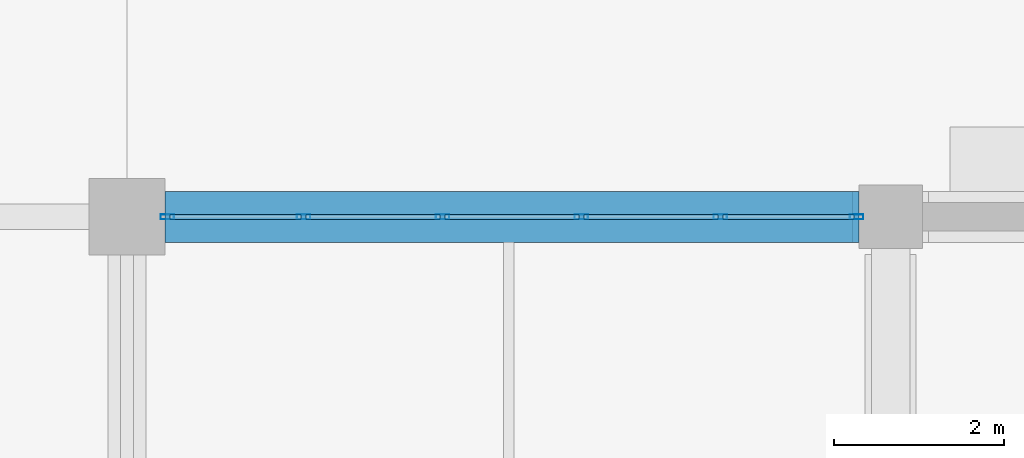
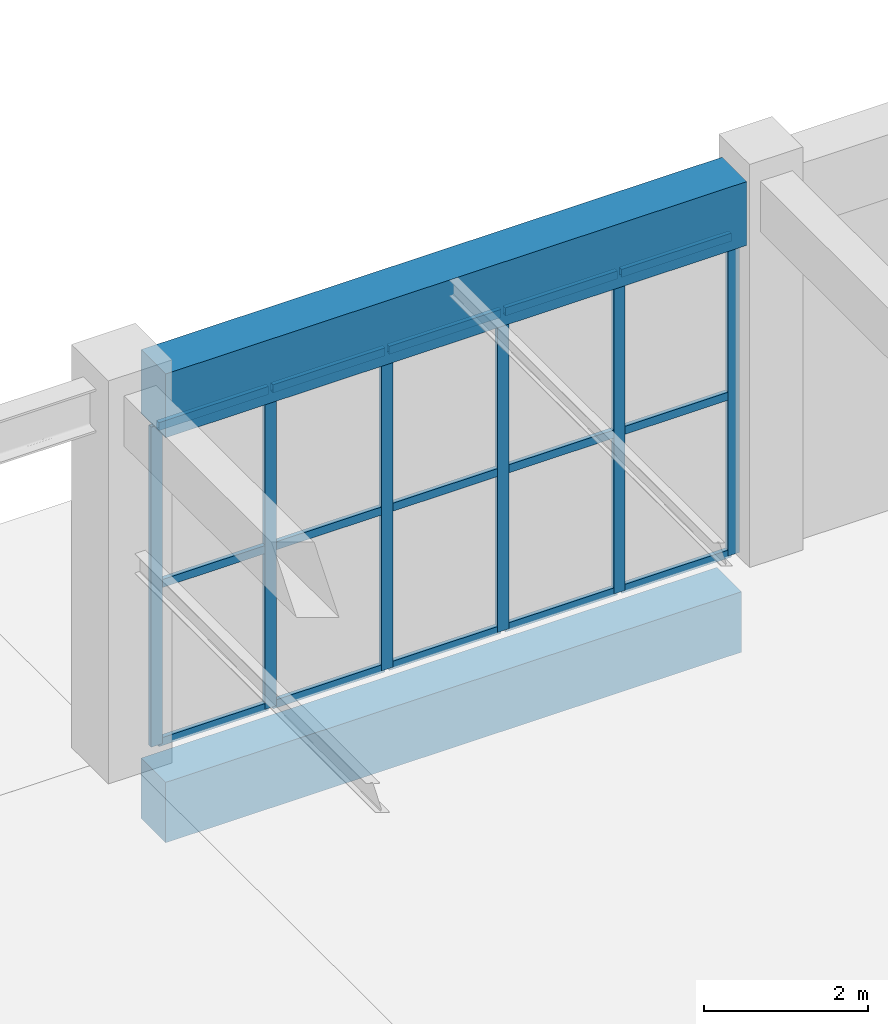
# One storey, part 16 of 91: 21 members, 2 beams, 1 element without a shape of its own.
"""IFC4 building model written with IfcOpenShell, lengths in metres."""

from ifc_helpers import new_model, si_unit, direction, frame, origin, origin_2d, place, context, subcontext, project, spatial, rectangle, hollow_rectangle, extrude, material, layer, layer_set, material_profile, profile_set, type_object, element, aggregate, save


model = new_model("IFC4")

# Units and contexts
model_context = context("Model", 3, precision=1e-05, world=origin(), true_north=direction((0.0, 1.0)))
body_context = subcontext(model_context, "Body", "Model", "MODEL_VIEW")
ifc_project = project(units=[si_unit("LENGTHUNIT", "METRE"), si_unit("AREAUNIT", "SQUARE_METRE"), si_unit("VOLUMEUNIT", "CUBIC_METRE"), si_unit("PLANEANGLEUNIT", "RADIAN"), si_unit("MASSUNIT", "GRAM", prefix="KILO")], contexts=[model_context])

# Site, building, storey
site_placement = place(None, origin())
site = spatial("IfcSite", under=ifc_project, at=site_placement, CompositionType="ELEMENT")
building_placement = place(site_placement, origin())
building = spatial("IfcBuilding", under=site, at=building_placement, Name="Dornveld Trade and Exhibition Forum", CompositionType="ELEMENT")
storey_placement = place(building_placement, origin())
storey = spatial("IfcBuildingStorey", under=building, at=storey_placement, Name="L00", CompositionType="ELEMENT", Elevation=0.0)

# Beams
ifc_material_1 = material(Name="Concrete C40/50", Category="concrete")
ifc_material_profile_1 = material_profile(ifc_material_1, rectangle(XDim=0.60009765625, YDim=0.89990234375, at=origin_2d()), Name="RC-GB 600x900")
ifc_profile_set_1 = profile_set([ifc_material_profile_1], Name="Concrete C40/50")
beam_type_1 = type_object("IfcBeamType", Name="BM-GB-600x900", PredefinedType="BEAM", material=ifc_profile_set_1)
beam_1_placement = place(storey_placement, frame((198.446044921875, 54.0, -0.830078125), z_axis=(1.0, 0.0, 0.0), x_axis=(0.0, 1.0, 0.0)))
element("IfcBeam", 1, at=beam_1_placement, inside=storey, type_object=beam_type_1, Name="L00 X-girder 607", PredefinedType="BEAM", context=body_context, shape_type="SweptSolid", body=[
    extrude(rectangle(XDim=0.60009765625, YDim=0.89990234375, at=origin_2d()), origin(), (0.0, 0.0, 1.0), 8.10791015625),
])
ifc_material_2 = material(Name="Precast concrete C50/60", Category="concrete")
ifc_material_profile_2 = material_profile(ifc_material_2, rectangle(XDim=0.60009765625, YDim=0.949951171875, at=origin_2d()), Name="PC-GIR 600x950")
ifc_profile_set_2 = profile_set([ifc_material_profile_2], Name="Precast concrete C50/60")
beam_type_2 = type_object("IfcBeamType", Name="BM-PC-600x950", PredefinedType="T_BEAM", material=ifc_profile_set_2)
beam_2_placement = place(storey_placement, frame((198.446044921875, 54.0, 5.22509765625), z_axis=(1.0, 0.0, 0.0), x_axis=(0.0, 1.0, 0.0)))
element("IfcBeam", 2, at=beam_2_placement, inside=storey, type_object=beam_type_2, Name="L00 X-girder 900", PredefinedType="T_BEAM", context=body_context, shape_type="SweptSolid", body=[
    extrude(rectangle(XDim=0.60009765625, YDim=0.949951171875, at=origin_2d()), origin(), (0.0, 0.0, 1.0), 8.182861328125),
])

# Curtain wall, members
ifc_material_3 = material(Name="Dark-bronze anodised aluminium and low-E glass", Category="aluminium")
ifc_layer = layer(ifc_material_3, 0.177978515625)
ifc_layer_set = layer_set([ifc_layer], Name="Dark-bronze anodised aluminium and low-E glass")
curtain_wall_type = type_object("IfcCurtainWallType", Name="CW-SYS-12", PredefinedType="USERDEFINED", material=ifc_layer_set)
curtain_wall_placement = place(storey_placement, origin())
curtain_wall = element("IfcCurtainWall", 3, at=curtain_wall_placement, inside=storey, type_object=curtain_wall_type, Name="L00 unitised curtain wall 84", ObjectType="UNITISED_CURTAIN_WALL", PredefinedType="USERDEFINED")
ifc_material_4 = material(Name="Dark-bronze anodised aluminium", Category="aluminium")
ifc_material_profile_3 = material_profile(ifc_material_4, hollow_rectangle(XDim=0.06005859375, YDim=0.159912109375, WallThickness=0.00390625, at=origin_2d()), Name="RHS 160x60x4")
ifc_profile_set_3 = profile_set([ifc_material_profile_3], Name="Dark-bronze anodised aluminium")
member_type_1 = type_object("IfcMemberType", Name="CW-MUL-160", PredefinedType="MULLION", material=ifc_profile_set_3)
member_1_placement = place(storey_placement, frame((206.59912109375, 54.0, -0.00390625), z_axis=(0.0, 0.0, 1.0), x_axis=(0.0, -1.0, 0.0)))
member_1 = element("IfcMember", 4, at=member_1_placement, type_object=member_type_1, Name="CW-12 mullion 1", PredefinedType="MULLION", context=body_context, shape_type="SweptSolid", body=[
    extrude(hollow_rectangle(XDim=0.06005859375, YDim=0.159912109375, WallThickness=0.00390625, at=origin_2d()), origin(), (0.0, 0.0, 1.0), 4.763916015625),
])
member_2_placement = place(storey_placement, frame((204.992431640625, 54.0, -0.00390625), z_axis=(0.0, 0.0, 1.0), x_axis=(0.0, -1.0, 0.0)))
member_2 = element("IfcMember", 5, at=member_2_placement, type_object=member_type_1, Name="CW-12 mullion 2", PredefinedType="MULLION", context=body_context, shape_type="SweptSolid", body=[
    extrude(hollow_rectangle(XDim=0.06005859375, YDim=0.159912109375, WallThickness=0.00390625, at=origin_2d()), origin(), (0.0, 0.0, 1.0), 4.763916015625),
])
member_3_placement = place(storey_placement, frame((203.355712890625, 54.0, -0.00390625), z_axis=(0.0, 0.0, 1.0), x_axis=(0.0, -1.0, 0.0)))
member_3 = element("IfcMember", 6, at=member_3_placement, type_object=member_type_1, Name="CW-12 mullion 3", PredefinedType="MULLION", context=body_context, shape_type="SweptSolid", body=[
    extrude(hollow_rectangle(XDim=0.06005859375, YDim=0.159912109375, WallThickness=0.00390625, at=origin_2d()), origin(), (0.0, 0.0, 1.0), 4.763916015625),
])
member_4_placement = place(storey_placement, frame((201.71923828125, 54.0, -0.00390625), z_axis=(0.0, 0.0, 1.0), x_axis=(0.0, -1.0, 0.0)))
member_4 = element("IfcMember", 7, at=member_4_placement, type_object=member_type_1, Name="CW-12 mullion 4", PredefinedType="MULLION", context=body_context, shape_type="SweptSolid", body=[
    extrude(hollow_rectangle(XDim=0.06005859375, YDim=0.159912109375, WallThickness=0.00390625, at=origin_2d()), origin(), (0.0, 0.0, 1.0), 4.763916015625),
])
member_5_placement = place(storey_placement, frame((200.08251953125, 54.0, -0.00390625), z_axis=(0.0, 0.0, 1.0), x_axis=(0.0, -1.0, 0.0)))
member_5 = element("IfcMember", 8, at=member_5_placement, type_object=member_type_1, Name="CW-12 mullion 5", PredefinedType="MULLION", context=body_context, shape_type="SweptSolid", body=[
    extrude(hollow_rectangle(XDim=0.06005859375, YDim=0.159912109375, WallThickness=0.00390625, at=origin_2d()), origin(), (0.0, 0.0, 1.0), 4.763916015625),
])
member_6_placement = place(storey_placement, frame((198.47607421875, 54.0, -0.00390625), z_axis=(0.0, 0.0, 1.0), x_axis=(0.0, -1.0, 0.0)))
member_6 = element("IfcMember", 9, at=member_6_placement, type_object=member_type_1, Name="CW-12 mullion 6", PredefinedType="MULLION", context=body_context, shape_type="SweptSolid", body=[
    extrude(hollow_rectangle(XDim=0.06005859375, YDim=0.159912109375, WallThickness=0.00390625, at=origin_2d()), origin(), (0.0, 0.0, 1.0), 4.763916015625),
])
ifc_material_5 = material(Name="Dark-bronze anodised aluminium", Category="aluminium")
ifc_material_profile_4 = material_profile(ifc_material_5, hollow_rectangle(XDim=0.06005859375, YDim=0.1201171875, WallThickness=0.00390625, at=origin_2d()), Name="RHS 120x60x4")
ifc_profile_set_4 = profile_set([ifc_material_profile_4], Name="Dark-bronze anodised aluminium")
member_type_2 = type_object("IfcMemberType", Name="CW-TRN-120", PredefinedType="USERDEFINED", material=ifc_profile_set_4)
member_7_placement = place(storey_placement, frame((206.569091796875, 54.0, 0.02587890625), z_axis=(-1.0, 0.0, 0.0), x_axis=(0.0, -1.0, 0.0)))
member_7 = element("IfcMember", 10, at=member_7_placement, type_object=member_type_2, Name="CW-12 transom 1.1", ObjectType="TRANSOM", PredefinedType="USERDEFINED", context=body_context, shape_type="SweptSolid", body=[
    extrude(hollow_rectangle(XDim=0.06005859375, YDim=0.1201171875, WallThickness=0.00390625, at=origin_2d()), origin(), (0.0, 0.0, 1.0), 1.546630859375),
])
member_8_placement = place(storey_placement, frame((206.569091796875, 54.0, 2.3779296875), z_axis=(-1.0, 0.0, 0.0), x_axis=(0.0, -1.0, 0.0)))
member_8 = element("IfcMember", 11, at=member_8_placement, type_object=member_type_2, Name="CW-12 transom 1.2", ObjectType="TRANSOM", PredefinedType="USERDEFINED", context=body_context, shape_type="SweptSolid", body=[
    extrude(hollow_rectangle(XDim=0.06005859375, YDim=0.1201171875, WallThickness=0.00390625, at=origin_2d()), origin(), (0.0, 0.0, 1.0), 1.546630859375),
])
member_9_placement = place(storey_placement, frame((206.569091796875, 54.0, 4.72998046875), z_axis=(-1.0, 0.0, 0.0), x_axis=(0.0, -1.0, 0.0)))
member_9 = element("IfcMember", 12, at=member_9_placement, type_object=member_type_2, Name="CW-12 transom 1.3", ObjectType="TRANSOM", PredefinedType="USERDEFINED", context=body_context, shape_type="SweptSolid", body=[
    extrude(hollow_rectangle(XDim=0.06005859375, YDim=0.1201171875, WallThickness=0.00390625, at=origin_2d()), origin(), (0.0, 0.0, 1.0), 1.546630859375),
])
member_10_placement = place(storey_placement, frame((204.96240234375, 54.0, 0.02587890625), z_axis=(-1.0, 0.0, 0.0), x_axis=(0.0, -1.0, 0.0)))
member_10 = element("IfcMember", 13, at=member_10_placement, type_object=member_type_2, Name="CW-12 transom 2.1", ObjectType="TRANSOM", PredefinedType="USERDEFINED", context=body_context, shape_type="SweptSolid", body=[
    extrude(hollow_rectangle(XDim=0.06005859375, YDim=0.1201171875, WallThickness=0.00390625, at=origin_2d()), origin(), (0.0, 0.0, 1.0), 1.57666015625),
])
member_11_placement = place(storey_placement, frame((204.96240234375, 54.0, 2.3779296875), z_axis=(-1.0, 0.0, 0.0), x_axis=(0.0, -1.0, 0.0)))
member_11 = element("IfcMember", 14, at=member_11_placement, type_object=member_type_2, Name="CW-12 transom 2.2", ObjectType="TRANSOM", PredefinedType="USERDEFINED", context=body_context, shape_type="SweptSolid", body=[
    extrude(hollow_rectangle(XDim=0.06005859375, YDim=0.1201171875, WallThickness=0.00390625, at=origin_2d()), origin(), (0.0, 0.0, 1.0), 1.57666015625),
])
member_12_placement = place(storey_placement, frame((204.96240234375, 54.0, 4.72998046875), z_axis=(-1.0, 0.0, 0.0), x_axis=(0.0, -1.0, 0.0)))
member_12 = element("IfcMember", 15, at=member_12_placement, type_object=member_type_2, Name="CW-12 transom 2.3", ObjectType="TRANSOM", PredefinedType="USERDEFINED", context=body_context, shape_type="SweptSolid", body=[
    extrude(hollow_rectangle(XDim=0.06005859375, YDim=0.1201171875, WallThickness=0.00390625, at=origin_2d()), origin(), (0.0, 0.0, 1.0), 1.57666015625),
])
member_13_placement = place(storey_placement, frame((203.32568359375, 54.0, 0.02587890625), z_axis=(-1.0, 0.0, 0.0), x_axis=(0.0, -1.0, 0.0)))
member_13 = element("IfcMember", 16, at=member_13_placement, type_object=member_type_2, Name="CW-12 transom 3.1", ObjectType="TRANSOM", PredefinedType="USERDEFINED", context=body_context, shape_type="SweptSolid", body=[
    extrude(hollow_rectangle(XDim=0.06005859375, YDim=0.1201171875, WallThickness=0.00390625, at=origin_2d()), origin(), (0.0, 0.0, 1.0), 1.576416015625),
])
member_14_placement = place(storey_placement, frame((203.32568359375, 54.0, 2.3779296875), z_axis=(-1.0, 0.0, 0.0), x_axis=(0.0, -1.0, 0.0)))
member_14 = element("IfcMember", 17, at=member_14_placement, type_object=member_type_2, Name="CW-12 transom 3.2", ObjectType="TRANSOM", PredefinedType="USERDEFINED", context=body_context, shape_type="SweptSolid", body=[
    extrude(hollow_rectangle(XDim=0.06005859375, YDim=0.1201171875, WallThickness=0.00390625, at=origin_2d()), origin(), (0.0, 0.0, 1.0), 1.576416015625),
])
member_15_placement = place(storey_placement, frame((203.32568359375, 54.0, 4.72998046875), z_axis=(-1.0, 0.0, 0.0), x_axis=(0.0, -1.0, 0.0)))
member_15 = element("IfcMember", 18, at=member_15_placement, type_object=member_type_2, Name="CW-12 transom 3.3", ObjectType="TRANSOM", PredefinedType="USERDEFINED", context=body_context, shape_type="SweptSolid", body=[
    extrude(hollow_rectangle(XDim=0.06005859375, YDim=0.1201171875, WallThickness=0.00390625, at=origin_2d()), origin(), (0.0, 0.0, 1.0), 1.576416015625),
])
member_16_placement = place(storey_placement, frame((201.689208984375, 54.0, 0.02587890625), z_axis=(-1.0, 0.0, 0.0), x_axis=(0.0, -1.0, 0.0)))
member_16 = element("IfcMember", 19, at=member_16_placement, type_object=member_type_2, Name="CW-12 transom 4.1", ObjectType="TRANSOM", PredefinedType="USERDEFINED", context=body_context, shape_type="SweptSolid", body=[
    extrude(hollow_rectangle(XDim=0.06005859375, YDim=0.1201171875, WallThickness=0.00390625, at=origin_2d()), origin(), (0.0, 0.0, 1.0), 1.57666015625),
])
member_17_placement = place(storey_placement, frame((201.689208984375, 54.0, 2.3779296875), z_axis=(-1.0, 0.0, 0.0), x_axis=(0.0, -1.0, 0.0)))
member_17 = element("IfcMember", 20, at=member_17_placement, type_object=member_type_2, Name="CW-12 transom 4.2", ObjectType="TRANSOM", PredefinedType="USERDEFINED", context=body_context, shape_type="SweptSolid", body=[
    extrude(hollow_rectangle(XDim=0.06005859375, YDim=0.1201171875, WallThickness=0.00390625, at=origin_2d()), origin(), (0.0, 0.0, 1.0), 1.57666015625),
])
member_18_placement = place(storey_placement, frame((201.689208984375, 54.0, 4.72998046875), z_axis=(-1.0, 0.0, 0.0), x_axis=(0.0, -1.0, 0.0)))
member_18 = element("IfcMember", 21, at=member_18_placement, type_object=member_type_2, Name="CW-12 transom 4.3", ObjectType="TRANSOM", PredefinedType="USERDEFINED", context=body_context, shape_type="SweptSolid", body=[
    extrude(hollow_rectangle(XDim=0.06005859375, YDim=0.1201171875, WallThickness=0.00390625, at=origin_2d()), origin(), (0.0, 0.0, 1.0), 1.57666015625),
])
member_19_placement = place(storey_placement, frame((200.052490234375, 54.0, 0.02587890625), z_axis=(-1.0, 0.0, 0.0), x_axis=(0.0, -1.0, 0.0)))
member_19 = element("IfcMember", 22, at=member_19_placement, type_object=member_type_2, Name="CW-12 transom 5.1", ObjectType="TRANSOM", PredefinedType="USERDEFINED", context=body_context, shape_type="SweptSolid", body=[
    extrude(hollow_rectangle(XDim=0.06005859375, YDim=0.1201171875, WallThickness=0.00390625, at=origin_2d()), origin(), (0.0, 0.0, 1.0), 1.54638671875),
])
member_20_placement = place(storey_placement, frame((200.052490234375, 54.0, 2.3779296875), z_axis=(-1.0, 0.0, 0.0), x_axis=(0.0, -1.0, 0.0)))
member_20 = element("IfcMember", 23, at=member_20_placement, type_object=member_type_2, Name="CW-12 transom 5.2", ObjectType="TRANSOM", PredefinedType="USERDEFINED", context=body_context, shape_type="SweptSolid", body=[
    extrude(hollow_rectangle(XDim=0.06005859375, YDim=0.1201171875, WallThickness=0.00390625, at=origin_2d()), origin(), (0.0, 0.0, 1.0), 1.54638671875),
])
member_21_placement = place(storey_placement, frame((200.052490234375, 54.0, 4.72998046875), z_axis=(-1.0, 0.0, 0.0), x_axis=(0.0, -1.0, 0.0)))
member_21 = element("IfcMember", 24, at=member_21_placement, type_object=member_type_2, Name="CW-12 transom 5.3", ObjectType="TRANSOM", PredefinedType="USERDEFINED", context=body_context, shape_type="SweptSolid", body=[
    extrude(hollow_rectangle(XDim=0.06005859375, YDim=0.1201171875, WallThickness=0.00390625, at=origin_2d()), origin(), (0.0, 0.0, 1.0), 1.54638671875),
])
aggregate(curtain_wall, [member_1, member_2, member_3, member_4, member_5, member_6, member_7, member_8, member_9, member_10, member_11, member_12, member_13, member_14, member_15, member_16, member_17, member_18, member_19, member_20, member_21])

save(model, "model.ifc")
